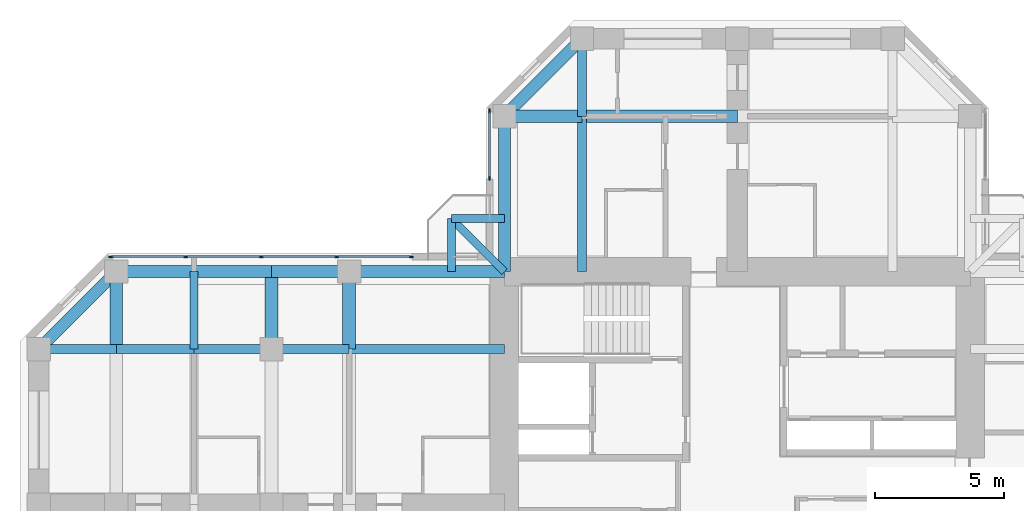
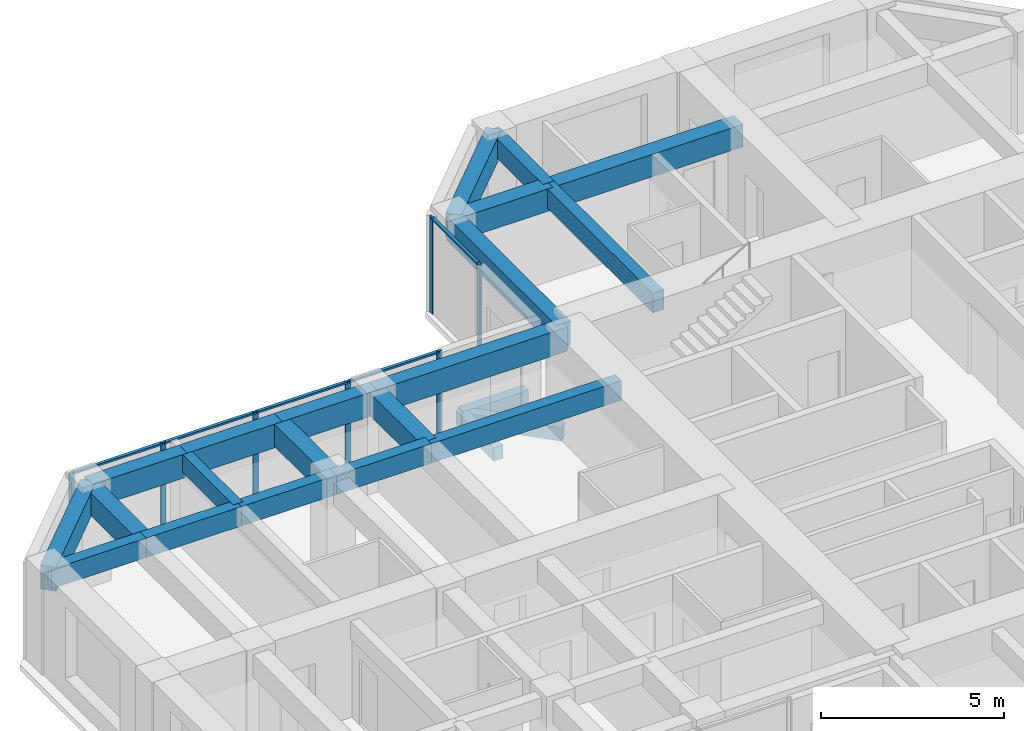
# One storey, part 5 of 14: 23 beams, 12 members, 2 elements without a shape of their own.
"""IFC4 building model written with IfcOpenShell, lengths in metres."""

import ifcopenshell
import ifcopenshell.guid

model = None  # the IFC model being written
_history = None  # IfcOwnerHistory: only IFC2X3 demands one
_inside = {}  # id of a spatial element -> (the spatial element, [elements in it])
_under = {}  # id of a project, library or spatial element -> (it, [spatial elements below it])
_declared = {}  # id of a project -> (the project, [libraries it declares])
_typed = {}  # id of a type object -> (the type object, [elements of that type])
_made_of = {}  # id of a material, layer set ... -> (it, [elements and type objects made of it])


def new_model(schema):
    """Start an empty IFC model of exactly this schema.

    Asked for "IFC4X3", IfcOpenShell would pick the latest addendum, in which some entities
    have other attributes; the version numbers below select the first issue.
    IFC2X3 requires an IfcOwnerHistory on every rooted entity: one is made here for all.
    """
    global model, _history
    if schema == "IFC4X3":
        model = ifcopenshell.file(schema_version=(4, 3, 0, 0))
    else:
        model = ifcopenshell.file(schema=schema)
    _inside.clear()
    _under.clear()
    _declared.clear()
    _typed.clear()
    _made_of.clear()
    _history = None
    if model.schema == "IFC2X3":
        org = make("IfcOrganization", Name="unknown")
        user = make(
            "IfcPersonAndOrganization",
            ThePerson=make("IfcPerson", FamilyName="unknown"),
            TheOrganization=org,
        )
        app = make(
            "IfcApplication",
            ApplicationDeveloper=org,
            Version="unknown",
            ApplicationFullName="unknown",
            ApplicationIdentifier="unknown",
        )
        _history = make(
            "IfcOwnerHistory",
            OwningUser=user,
            OwningApplication=app,
            ChangeAction="ADDED",
            CreationDate=0,
        )
    return model


def make(cls, **values):
    """One entity of the class cls with the attributes given. An attribute that is None is left unset."""
    return model.create_entity(
        cls, **{name: value for name, value in values.items() if value is not None}
    )


def rooted(cls, **values):
    """An entity with a GlobalId (a new one), such as an element, a storey or a relation."""
    return make(cls, GlobalId=ifcopenshell.guid.new(), OwnerHistory=_history, **values)


def si_unit(unit_type, name, prefix=None):
    """IfcSIUnit, for example si_unit("LENGTHUNIT", "METRE", prefix="MILLI")."""
    return make("IfcSIUnit", UnitType=unit_type, Prefix=prefix, Name=name)


def assignment(units):
    """IfcUnitAssignment: the units of a project."""
    return None if units is None else make("IfcUnitAssignment", Units=units)


def point(xyz):
    """IfcCartesianPoint."""
    return None if xyz is None else make("IfcCartesianPoint", Coordinates=xyz)


def direction(xyz):
    """IfcDirection."""
    return None if xyz is None else make("IfcDirection", DirectionRatios=xyz)


def frame(location, z_axis=None, x_axis=None):
    """IfcAxis2Placement3D, a coordinate frame: its origin and axes. An axis left out is left unset."""
    return make(
        "IfcAxis2Placement3D",
        Location=point(location),
        Axis=direction(z_axis),
        RefDirection=direction(x_axis),
    )


def frame_2d(location, x_axis=None):
    """IfcAxis2Placement2D, a coordinate frame in the plane: its origin and x axis."""
    return make(
        "IfcAxis2Placement2D", Location=point(location), RefDirection=direction(x_axis)
    )


def origin():
    """The frame at (0, 0, 0) with its axes left unset."""
    return frame((0.0, 0.0, 0.0))


def origin_2d():
    """The frame at (0, 0) in the plane with its x axis left unset."""
    return frame_2d((0.0, 0.0))


def place(relative_to, where):
    """IfcLocalPlacement: puts the frame where relative to a parent placement (None: the world)."""
    return make(
        "IfcLocalPlacement", PlacementRelTo=relative_to, RelativePlacement=where
    )


def context(
    kind, dimensions, precision=None, world=None, true_north=None, identifier=None
):
    """IfcGeometricRepresentationContext, for example the 3D "Model" context."""
    return make(
        "IfcGeometricRepresentationContext",
        ContextIdentifier=identifier,
        ContextType=kind,
        CoordinateSpaceDimension=dimensions,
        Precision=precision,
        WorldCoordinateSystem=world,
        TrueNorth=true_north,
    )


def subcontext(parent, identifier, kind, view, scale=None):
    """IfcGeometricRepresentationSubContext, for example "Body" below "Model"."""
    return make(
        "IfcGeometricRepresentationSubContext",
        ContextIdentifier=identifier,
        ContextType=kind,
        ParentContext=parent,
        TargetScale=scale,
        TargetView=view,
    )


def project(units=None, contexts=None):
    """IfcProject with its units and contexts."""
    return rooted(
        "IfcProject",
        Name="project",
        RepresentationContexts=contexts,
        UnitsInContext=assignment(units),
    )


def spatial(cls, under=None, at=None, **own):
    """A site, building, storey or space (cls), placed at a placement, below another one or the project."""
    s = rooted(cls, ObjectPlacement=at, **own)
    if under is not None:
        _under.setdefault(under.id(), (under, []))[1].append(s)
    return s


def profile(cls, at=None, kind="AREA", **sizes):
    """A parametric profile (cls). Its sizes go by their IFC names, for example OverallWidth=200.0."""
    return make(cls, ProfileType=kind, Position=at, **sizes)


def rectangle(**sizes):
    """IfcRectangleProfileDef."""
    return profile("IfcRectangleProfileDef", **sizes)


def extrude(swept, where, along, depth):
    """IfcExtrudedAreaSolid: the profile swept, set in the frame where, extruded along a direction by depth."""
    return make(
        "IfcExtrudedAreaSolid",
        SweptArea=swept,
        Position=where,
        ExtrudedDirection=direction(along),
        Depth=depth,
    )


def shape(context_of_items, identifier, shape_type, items):
    """IfcShapeRepresentation: the items that make up one representation, for example the "Body"."""
    return make(
        "IfcShapeRepresentation",
        ContextOfItems=context_of_items,
        RepresentationIdentifier=identifier,
        RepresentationType=shape_type,
        Items=items,
    )


def material(Name=None, Category=None):
    """IfcMaterial."""
    return make("IfcMaterial", Name=Name, Category=Category)


def material_profile(
    of_material, cross_section, Name=None, Category=None, Priority=None
):
    """IfcMaterialProfile: a cross section and its material."""
    return make(
        "IfcMaterialProfile",
        Name=Name,
        Material=of_material,
        Profile=cross_section,
        Priority=Priority,
        Category=Category,
    )


def profile_set(profiles, Name=None, composite=None):
    """IfcMaterialProfileSet."""
    return make(
        "IfcMaterialProfileSet",
        Name=Name,
        MaterialProfiles=profiles,
        CompositeProfile=composite,
    )


def made_of(thing, what):
    """Note that an element or type object is made of a material, layer set ...; save() writes the relation."""
    if what is not None:
        _made_of.setdefault(what.id(), (what, []))[1].append(thing)
    return thing


def type_object(cls, material=None, **own):
    """A type object (cls), such as IfcWallType, which elements share."""
    return made_of(rooted(cls, **own), material)


def element(
    cls,
    number,
    at=None,
    inside=None,
    cuts=None,
    type_object=None,
    material=None,
    context=None,
    identifier="Body",
    shape_type=None,
    held_by="IfcProductDefinitionShape",
    body=None,
    shapes=None,
    **own,
):
    """One element of the class cls, such as IfcWall. Its Tag is "e" and its number.

    at: its placement. inside: the storey or other place that contains it. cuts: it is an
    opening in that element (IfcRelVoidsElement). A single representation is given by context,
    identifier, shape_type and body (its items); several are given by shapes. held_by: the class
    of the entity that holds the representations. save() writes the other relations.
    """
    e = rooted(cls, Tag="e%d" % number, ObjectPlacement=at, **own)
    if body is not None:
        shapes = [shape(context, identifier, shape_type, body)]
    if shapes is not None:
        e.Representation = make(held_by, Representations=shapes)
    if inside is not None:
        _inside.setdefault(inside.id(), (inside, []))[1].append(e)
    if cuts is not None:
        rooted(
            "IfcRelVoidsElement", RelatingBuildingElement=cuts, RelatedOpeningElement=e
        )
    if type_object is not None:
        _typed.setdefault(type_object.id(), (type_object, []))[1].append(e)
    return made_of(e, material)


def aggregate(whole, parts):
    """IfcRelAggregates: a whole, such as a stair, and the parts it consists of."""
    return rooted("IfcRelAggregates", RelatingObject=whole, RelatedObjects=parts)


def save(model, path):
    """Write the relations noted so far, then the file.

    IfcRelAggregates (storeys below a building ...), IfcRelContainedInSpatialStructure (elements
    in a storey), IfcRelDefinesByType, IfcRelAssociatesMaterial and IfcRelDeclares: one each for
    every whole, place, type object, material and project.
    """
    for whole, parts in _under.values():
        aggregate(whole, parts)
    for where, things in _inside.values():
        rooted(
            "IfcRelContainedInSpatialStructure",
            RelatedElements=things,
            RelatingStructure=where,
        )
    for kind, things in _typed.values():
        rooted("IfcRelDefinesByType", RelatedObjects=things, RelatingType=kind)
    for what, things in _made_of.values():
        rooted("IfcRelAssociatesMaterial", RelatedObjects=things, RelatingMaterial=what)
    for by, libraries in _declared.values():
        rooted("IfcRelDeclares", RelatingContext=by, RelatedDefinitions=libraries)
    model.write(path)


model = new_model("IFC4")

# Units and contexts
model_context = context("Model", 3, precision=1e-05, world=origin(), true_north=direction((0.0, 1.0)))
body_context = subcontext(model_context, "Body", "Model", "MODEL_VIEW")
ifc_project = project(units=[si_unit("LENGTHUNIT", "METRE"), si_unit("AREAUNIT", "SQUARE_METRE"), si_unit("VOLUMEUNIT", "CUBIC_METRE"), si_unit("PLANEANGLEUNIT", "RADIAN"), si_unit("MASSUNIT", "GRAM", prefix="KILO")], contexts=[model_context])

# Site, building, storey
site_placement = place(None, origin())
site = spatial("IfcSite", under=ifc_project, at=site_placement, CompositionType="ELEMENT")
building_placement = place(site_placement, origin())
building = spatial("IfcBuilding", under=site, at=building_placement, Name="Torre Cruceta", CompositionType="ELEMENT")
storey_placement = place(building_placement, frame((0.0, 0.0, 176.300048828125)))
storey = spatial("IfcBuildingStorey", under=building, at=storey_placement, Name="L43", CompositionType="ELEMENT", Elevation=176.300048828125)

# Beams
ifc_material_1 = material(Name="Concrete G60 (fck 60 MPa)", Category="concrete")
ifc_material_profile_1 = material_profile(ifc_material_1, rectangle(XDim=0.300048828125, YDim=0.449951171875, at=origin_2d()), Name="RC 300X450")
ifc_profile_set_1 = profile_set([ifc_material_profile_1], Name="Concrete G60 (fck 60 MPa)")
beam_type_1 = type_object("IfcBeamType", Name="BALCONY CANTILEVER BEAM RC 300X450", PredefinedType="BEAM", material=ifc_profile_set_1)
beam_1_placement = place(storey_placement, frame((-9.0, 9.0, -0.405029296875), z_axis=(-0.707106781187, 0.707106781187, 0.0), x_axis=(-0.707106781187, -0.707106781187, 0.0)))
element("IfcBeam", 1, at=beam_1_placement, inside=storey, type_object=beam_type_1, Name="BB1 balcony beam L43 N", PredefinedType="BEAM", context=body_context, shape_type="SweptSolid", body=[
    extrude(rectangle(XDim=0.300048828125, YDim=0.449951171875, at=origin_2d()), origin(), (0.0, 0.0, 1.0), 2.89990234375),
])
for number, where, z_axis, x_axis, name in (
    (2, (-11.050537109375, 9.0, -0.405029296875), (0.0, 1.0, 0.0), (-1.0, 0.0, 0.0), "BB1 balcony edge beam L43 N-X"),
    (3, (-9.0, 11.050537109375, -0.405029296875), (-1.0, 0.0, 0.0), (0.0, -1.0, 0.0), "BB1 balcony edge beam L43 N-Y"),
):
    element("IfcBeam", number, at=place(storey_placement, frame(where, z_axis=z_axis, x_axis=x_axis)), inside=storey, type_object=beam_type_1, Name=name, PredefinedType="BEAM", context=body_context, shape_type="SweptSolid", body=[
        extrude(rectangle(XDim=0.300048828125, YDim=0.449951171875, at=origin_2d()), origin(), (0.0, 0.0, 1.0), 2.050537109375),
    ])
ifc_material_2 = material(Name="Concrete G60 (fck 60 MPa)", Category="concrete")
ifc_material_profile_2 = material_profile(ifc_material_2, rectangle(XDim=0.35009765625, YDim=0.64990234375, at=origin_2d()), Name="RC 350X650")
ifc_profile_set_2 = profile_set([ifc_material_profile_2], Name="Concrete G60 (fck 60 MPa)")
beam_type_2 = type_object("IfcBeamType", Name="COLUMN LINE BEAM RC 350X650", PredefinedType="BEAM", material=ifc_profile_set_2)
beam_2_placement = place(storey_placement, frame((-6.0, 9.0, 2.89501953125), z_axis=(0.0, 1.0, 0.0), x_axis=(-1.0, 0.0, 0.0)))
element("IfcBeam", 4, at=beam_2_placement, inside=storey, type_object=beam_type_2, Name="LB7 L43 N col+ 1", PredefinedType="BEAM", context=body_context, shape_type="SweptSolid", body=[
    extrude(rectangle(XDim=0.35009765625, YDim=0.64990234375, at=origin_2d()), origin(), (0.0, 0.0, 1.0), 6.0),
])
beam_3_placement = place(storey_placement, frame((-6.0, 15.0, 2.89501953125), z_axis=(0.0, 1.0, 0.0), x_axis=(-1.0, 0.0, 0.0)))
element("IfcBeam", 5, at=beam_3_placement, inside=storey, type_object=beam_type_2, Name="LB7 L43 N col+ 2", PredefinedType="BEAM", context=body_context, shape_type="SweptSolid", body=[
    extrude(rectangle(XDim=0.35009765625, YDim=0.64990234375, at=origin_2d()), origin(), (0.0, 0.0, 1.0), 3.0),
])
beam_4_placement = place(storey_placement, frame((-9.0, 6.0, 2.89501953125), z_axis=(-1.0, 0.0, 0.0), x_axis=(0.0, -1.0, 0.0)))
element("IfcBeam", 6, at=beam_4_placement, inside=storey, type_object=beam_type_2, Name="LB7 L43 W col- 1", PredefinedType="BEAM", context=body_context, shape_type="SweptSolid", body=[
    extrude(rectangle(XDim=0.35009765625, YDim=0.64990234375, at=origin_2d()), origin(), (0.0, 0.0, 1.0), 6.0),
])
for number, where, z_axis, x_axis, name in (
    (7, (-15.0, 6.0, 2.89501953125), (-1.0, 0.0, 0.0), (0.0, -1.0, 0.0), "LB7 L43 W col- 2"),
    (8, (-18.0, 6.0, 2.89501953125), (-1.0, 0.0, 0.0), (0.0, -1.0, 0.0), "LB7 L43 W col- 3"),
    (9, (-21.0, 6.0, 2.89501953125), (-1.0, 0.0, 0.0), (0.0, -1.0, 0.0), "LB7 L43 W col- 4"),
    (10, (-24.0, 6.0, 2.89501953125), (-1.0, 0.0, 0.0), (0.0, -1.0, 0.0), "LB7 L43 W col- 5"),
):
    element("IfcBeam", number, at=place(storey_placement, frame(where, z_axis=z_axis, x_axis=x_axis)), inside=storey, type_object=beam_type_2, Name=name, PredefinedType="BEAM", context=body_context, shape_type="SweptSolid", body=[
        extrude(rectangle(XDim=0.35009765625, YDim=0.64990234375, at=origin_2d()), origin(), (0.0, 0.0, 1.0), 3.0),
    ])
ifc_material_3 = material(Name="Concrete G60 (fck 60 MPa)", Category="concrete")
ifc_material_profile_3 = material_profile(ifc_material_3, rectangle(XDim=0.5, YDim=0.75, at=origin_2d()), Name="RC 500X750")
ifc_profile_set_3 = profile_set([ifc_material_profile_3], Name="Concrete G60 (fck 60 MPa)")
beam_type_3 = type_object("IfcBeamType", Name="CROSS BEAM RC 500X750", PredefinedType="BEAM", material=ifc_profile_set_3)
beam_5_placement = place(storey_placement, frame((0.0, 15.0, 2.844970703125), z_axis=(-1.0, 0.0, 0.0), x_axis=(0.0, -1.0, 0.0)))
element("IfcBeam", 11, at=beam_5_placement, inside=storey, type_object=beam_type_3, Name="GB6 L43 N cross15 3", PredefinedType="BEAM", context=body_context, shape_type="SweptSolid", body=[
    extrude(rectangle(XDim=0.5, YDim=0.75, at=origin_2d()), origin(), (0.0, 0.0, 1.0), 6.0),
])
for number, where, z_axis, x_axis, name in (
    (12, (-6.0, 15.0, 2.844970703125), (-1.0, 0.0, 0.0), (0.0, -1.0, 0.0), "GB6 L43 N cross15 4"),
    (13, (-15.0, 9.0, 2.844970703125), (0.0, -1.0, 0.0), (1.0, 0.0, 0.0), "GB6 L43 W cross15 1"),
    (14, (-18.0, 9.0, 2.844970703125), (0.0, -1.0, 0.0), (1.0, 0.0, 0.0), "GB6 L43 W cross18 1"),
    (15, (-24.0, 9.0, 2.844970703125), (0.0, -1.0, 0.0), (1.0, 0.0, 0.0), "GB6 L43 W cross24 1"),
):
    element("IfcBeam", number, at=place(storey_placement, frame(where, z_axis=z_axis, x_axis=x_axis)), inside=storey, type_object=beam_type_3, Name=name, PredefinedType="BEAM", context=body_context, shape_type="SweptSolid", body=[
        extrude(rectangle(XDim=0.5, YDim=0.75, at=origin_2d()), origin(), (0.0, 0.0, 1.0), 3.0),
    ])

# Curtain wall, members
ifc_material_4 = material(Name="Aluminium unitised curtain wall", Category="aluminium")
curtain_wall_type = type_object("IfcCurtainWallType", Name="CURTAIN WALL CW-C CO-LIVING", PredefinedType="USERDEFINED", material=ifc_material_4)
curtain_wall_1_placement = place(storey_placement, origin())
curtain_wall_1 = element("IfcCurtainWall", 16, at=curtain_wall_1_placement, inside=storey, type_object=curtain_wall_type, Name="CW-C L43 N side 09", ObjectType="UNITISED", PredefinedType="USERDEFINED")
ifc_material_5 = material(Name="Aluminium mullion", Category="aluminium")
ifc_material_profile_4 = material_profile(ifc_material_5, rectangle(XDim=0.06005859375, YDim=0.159912109375, at=origin_2d()), Name="AL 60X160")
ifc_profile_set_4 = profile_set([ifc_material_profile_4], Name="Aluminium mullion")
member_type_1 = type_object("IfcMemberType", Name="CW-C MULLION 60X160", PredefinedType="MULLION", material=ifc_profile_set_4)
member_1_placement = place(storey_placement, frame((-9.570068359375, 15.2060546875, 0.0), z_axis=(0.0, 0.0, 1.0), x_axis=(1.0, 0.0, 0.0)))
member_1 = element("IfcMember", 17, at=member_1_placement, type_object=member_type_1, Name="CW-C mullion 1", PredefinedType="MULLION", context=body_context, shape_type="SweptSolid", body=[
    extrude(rectangle(XDim=0.06005859375, YDim=0.159912109375, at=origin_2d()), origin(), (0.0, 0.0, 1.0), 3.219970703125),
])
member_2_placement = place(storey_placement, frame((-9.570068359375, 12.60009765625, 0.0), z_axis=(0.0, 0.0, 1.0), x_axis=(1.0, 0.0, 0.0)))
member_2 = element("IfcMember", 18, at=member_2_placement, type_object=member_type_1, Name="CW-C mullion 2", PredefinedType="MULLION", context=body_context, shape_type="SweptSolid", body=[
    extrude(rectangle(XDim=0.06005859375, YDim=0.159912109375, at=origin_2d()), origin(), (0.0, 0.0, 1.0), 3.219970703125),
])

curtain_wall_2_placement = place(storey_placement, origin())
curtain_wall_2 = element("IfcCurtainWall", 19, at=curtain_wall_2_placement, inside=storey, type_object=curtain_wall_type, Name="CW-C L43 W side 10", ObjectType="UNITISED", PredefinedType="USERDEFINED")
member_3_placement = place(storey_placement, frame((-12.60009765625, 9.570068359375, 0.0), z_axis=(0.0, 0.0, 1.0), x_axis=(0.0, -1.0, 0.0)))
member_3 = element("IfcMember", 20, at=member_3_placement, type_object=member_type_1, Name="CW-C mullion 1", PredefinedType="MULLION", context=body_context, shape_type="SweptSolid", body=[
    extrude(rectangle(XDim=0.06005859375, YDim=0.159912109375, at=origin_2d()), origin(), (0.0, 0.0, 1.0), 3.219970703125),
])
member_4_placement = place(storey_placement, frame((-15.486572265625, 9.570068359375, 0.0), z_axis=(0.0, 0.0, 1.0), x_axis=(0.0, -1.0, 0.0)))
member_4 = element("IfcMember", 21, at=member_4_placement, type_object=member_type_1, Name="CW-C mullion 2", PredefinedType="MULLION", context=body_context, shape_type="SweptSolid", body=[
    extrude(rectangle(XDim=0.06005859375, YDim=0.159912109375, at=origin_2d()), origin(), (0.0, 0.0, 1.0), 3.219970703125),
])
member_5_placement = place(storey_placement, frame((-18.403076171875, 9.570068359375, 0.0), z_axis=(0.0, 0.0, 1.0), x_axis=(0.0, -1.0, 0.0)))
member_5 = element("IfcMember", 22, at=member_5_placement, type_object=member_type_1, Name="CW-C mullion 3", PredefinedType="MULLION", context=body_context, shape_type="SweptSolid", body=[
    extrude(rectangle(XDim=0.06005859375, YDim=0.159912109375, at=origin_2d()), origin(), (0.0, 0.0, 1.0), 3.219970703125),
])
member_6_placement = place(storey_placement, frame((-21.319580078125, 9.570068359375, 0.0), z_axis=(0.0, 0.0, 1.0), x_axis=(0.0, -1.0, 0.0)))
member_6 = element("IfcMember", 23, at=member_6_placement, type_object=member_type_1, Name="CW-C mullion 4", PredefinedType="MULLION", context=body_context, shape_type="SweptSolid", body=[
    extrude(rectangle(XDim=0.06005859375, YDim=0.159912109375, at=origin_2d()), origin(), (0.0, 0.0, 1.0), 3.219970703125),
])
member_7_placement = place(storey_placement, frame((-24.2060546875, 9.570068359375, 0.0), z_axis=(0.0, 0.0, 1.0), x_axis=(0.0, -1.0, 0.0)))
member_7 = element("IfcMember", 24, at=member_7_placement, type_object=member_type_1, Name="CW-C mullion 5", PredefinedType="MULLION", context=body_context, shape_type="SweptSolid", body=[
    extrude(rectangle(XDim=0.06005859375, YDim=0.159912109375, at=origin_2d()), origin(), (0.0, 0.0, 1.0), 3.219970703125),
])

# Member
ifc_material_6 = material(Name="Aluminium transom", Category="aluminium")
ifc_material_profile_5 = material_profile(ifc_material_6, rectangle(XDim=0.10009765625, YDim=0.06005859375, at=origin_2d()), Name="AL 100X60")
ifc_profile_set_5 = profile_set([ifc_material_profile_5], Name="Aluminium transom")
member_type_2 = type_object("IfcMemberType", Name="CW-C TRANSOM 60X100", PredefinedType="USERDEFINED", material=ifc_profile_set_5)
member_8_placement = place(storey_placement, frame((-9.570068359375, 15.176025390625, 3.18994140625), z_axis=(0.0, -1.0, 0.0), x_axis=(1.0, 0.0, 0.0)))
member_8 = element("IfcMember", 25, at=member_8_placement, type_object=member_type_2, Name="CW-C transom 1", ObjectType="TRANSOM", PredefinedType="USERDEFINED", context=body_context, shape_type="SweptSolid", body=[
    extrude(rectangle(XDim=0.10009765625, YDim=0.06005859375, at=origin_2d()), origin(), (0.0, 0.0, 1.0), 2.546142578125),
])

aggregate(curtain_wall_1, [member_1, member_2, member_8])

member_9_placement = place(storey_placement, frame((-12.6298828125, 9.570068359375, 3.18994140625), z_axis=(-1.0, 0.0, 0.0), x_axis=(0.0, -1.0, 0.0)))
member_9 = element("IfcMember", 26, at=member_9_placement, type_object=member_type_2, Name="CW-C transom 1", ObjectType="TRANSOM", PredefinedType="USERDEFINED", context=body_context, shape_type="SweptSolid", body=[
    extrude(rectangle(XDim=0.10009765625, YDim=0.06005859375, at=origin_2d()), origin(), (0.0, 0.0, 1.0), 2.82666015625),
])

member_10_placement = place(storey_placement, frame((-15.5166015625, 9.570068359375, 3.18994140625), z_axis=(-1.0, 0.0, 0.0), x_axis=(0.0, -1.0, 0.0)))
member_10 = element("IfcMember", 27, at=member_10_placement, type_object=member_type_2, Name="CW-C transom 2", ObjectType="TRANSOM", PredefinedType="USERDEFINED", context=body_context, shape_type="SweptSolid", body=[
    extrude(rectangle(XDim=0.10009765625, YDim=0.06005859375, at=origin_2d()), origin(), (0.0, 0.0, 1.0), 2.8564453125),
])

member_11_placement = place(storey_placement, frame((-18.43310546875, 9.570068359375, 3.18994140625), z_axis=(-1.0, 0.0, 0.0), x_axis=(0.0, -1.0, 0.0)))
member_11 = element("IfcMember", 28, at=member_11_placement, type_object=member_type_2, Name="CW-C transom 3", ObjectType="TRANSOM", PredefinedType="USERDEFINED", context=body_context, shape_type="SweptSolid", body=[
    extrude(rectangle(XDim=0.10009765625, YDim=0.06005859375, at=origin_2d()), origin(), (0.0, 0.0, 1.0), 2.8564453125),
])

member_12_placement = place(storey_placement, frame((-21.349609375, 9.570068359375, 3.18994140625), z_axis=(-1.0, 0.0, 0.0), x_axis=(0.0, -1.0, 0.0)))
member_12 = element("IfcMember", 29, at=member_12_placement, type_object=member_type_2, Name="CW-C transom 4", ObjectType="TRANSOM", PredefinedType="USERDEFINED", context=body_context, shape_type="SweptSolid", body=[
    extrude(rectangle(XDim=0.10009765625, YDim=0.06005859375, at=origin_2d()), origin(), (0.0, 0.0, 1.0), 2.826416015625),
])

aggregate(curtain_wall_2, [member_3, member_4, member_5, member_6, member_7, member_9, member_10, member_11, member_12])

# Beams
ifc_material_7 = material(Name="Concrete G60 (fck 60 MPa)", Category="concrete")
ifc_material_profile_6 = material_profile(ifc_material_7, rectangle(XDim=0.300048828125, YDim=0.60009765625, at=origin_2d()), Name="RC 300X600")
ifc_profile_set_6 = profile_set([ifc_material_profile_6], Name="Concrete G60 (fck 60 MPa)")
beam_type_4 = type_object("IfcBeamType", Name="SECONDARY BEAM RC 300X600", PredefinedType="JOIST", material=ifc_profile_set_6)
beam_6_placement = place(storey_placement, frame((-21.0, 9.0, 2.919921875), z_axis=(0.0, -1.0, 0.0), x_axis=(1.0, 0.0, 0.0)))
element("IfcBeam", 30, at=beam_6_placement, inside=storey, type_object=beam_type_4, Name="JB6 L43 W sec21 1", PredefinedType="JOIST", context=body_context, shape_type="SweptSolid", body=[
    extrude(rectangle(XDim=0.300048828125, YDim=0.60009765625, at=origin_2d()), origin(), (0.0, 0.0, 1.0), 3.0),
])
ifc_material_8 = material(Name="Concrete G60 (fck 60 MPa)", Category="concrete")
ifc_material_profile_7 = material_profile(ifc_material_8, rectangle(XDim=0.449951171875, YDim=0.800048828125, at=origin_2d()), Name="RC 450X800")
ifc_profile_set_7 = profile_set([ifc_material_profile_7], Name="Concrete G60 (fck 60 MPa)")
beam_type_5 = type_object("IfcBeamType", Name="SPANDREL BEAM RC 450X800", PredefinedType="SPANDREL", material=ifc_profile_set_7)
beam_7_placement = place(storey_placement, frame((-9.0, 9.0, 2.820068359375), z_axis=(0.0, 1.0, 0.0), x_axis=(-1.0, 0.0, 0.0)))
element("IfcBeam", 31, at=beam_7_placement, inside=storey, type_object=beam_type_5, Name="SB6 L43 N side+ 1", PredefinedType="SPANDREL", context=body_context, shape_type="SweptSolid", body=[
    extrude(rectangle(XDim=0.449951171875, YDim=0.800048828125, at=origin_2d()), origin(), (0.0, 0.0, 1.0), 6.0),
])
beam_8_placement = place(storey_placement, frame((-9.0, 15.0, 2.820068359375), z_axis=(0.707106781187, 0.707106781187, 0.0), x_axis=(-0.707106781187, 0.707106781187, 0.0)))
element("IfcBeam", 32, at=beam_8_placement, inside=storey, type_object=beam_type_5, Name="SB6 L43 N side+ 2", PredefinedType="SPANDREL", context=body_context, shape_type="SweptSolid", body=[
    extrude(rectangle(XDim=0.449951171875, YDim=0.800048828125, at=origin_2d()), origin(), (0.0, 0.0, 1.0), 4.24267578125),
])
beam_9_placement = place(storey_placement, frame((-9.0, 9.0, 2.820068359375), z_axis=(-1.0, 0.0, 0.0), x_axis=(0.0, -1.0, 0.0)))
element("IfcBeam", 33, at=beam_9_placement, inside=storey, type_object=beam_type_5, Name="SB6 L43 W side- 1", PredefinedType="SPANDREL", context=body_context, shape_type="SweptSolid", body=[
    extrude(rectangle(XDim=0.449951171875, YDim=0.800048828125, at=origin_2d()), origin(), (0.0, 0.0, 1.0), 6.0),
])
for number, where, z_axis, x_axis, name in (
    (34, (-15.0, 9.0, 2.820068359375), (-1.0, 0.0, 0.0), (0.0, -1.0, 0.0), "SB6 L43 W side- 2"),
    (35, (-18.0, 9.0, 2.820068359375), (-1.0, 0.0, 0.0), (0.0, -1.0, 0.0), "SB6 L43 W side- 3"),
    (36, (-21.0, 9.0, 2.820068359375), (-1.0, 0.0, 0.0), (0.0, -1.0, 0.0), "SB6 L43 W side- 4"),
):
    element("IfcBeam", number, at=place(storey_placement, frame(where, z_axis=z_axis, x_axis=x_axis)), inside=storey, type_object=beam_type_5, Name=name, PredefinedType="SPANDREL", context=body_context, shape_type="SweptSolid", body=[
        extrude(rectangle(XDim=0.449951171875, YDim=0.800048828125, at=origin_2d()), origin(), (0.0, 0.0, 1.0), 3.0),
    ])
beam_10_placement = place(storey_placement, frame((-24.0, 9.0, 2.820068359375), z_axis=(-0.707106781187, -0.707106781187, 0.0), x_axis=(0.707106781187, -0.707106781187, 0.0)))
element("IfcBeam", 37, at=beam_10_placement, inside=storey, type_object=beam_type_5, Name="SB6 L43 W side- 5", PredefinedType="SPANDREL", context=body_context, shape_type="SweptSolid", body=[
    extrude(rectangle(XDim=0.449951171875, YDim=0.800048828125, at=origin_2d()), origin(), (0.0, 0.0, 1.0), 4.24267578125),
])

save(model, "model.ifc")
